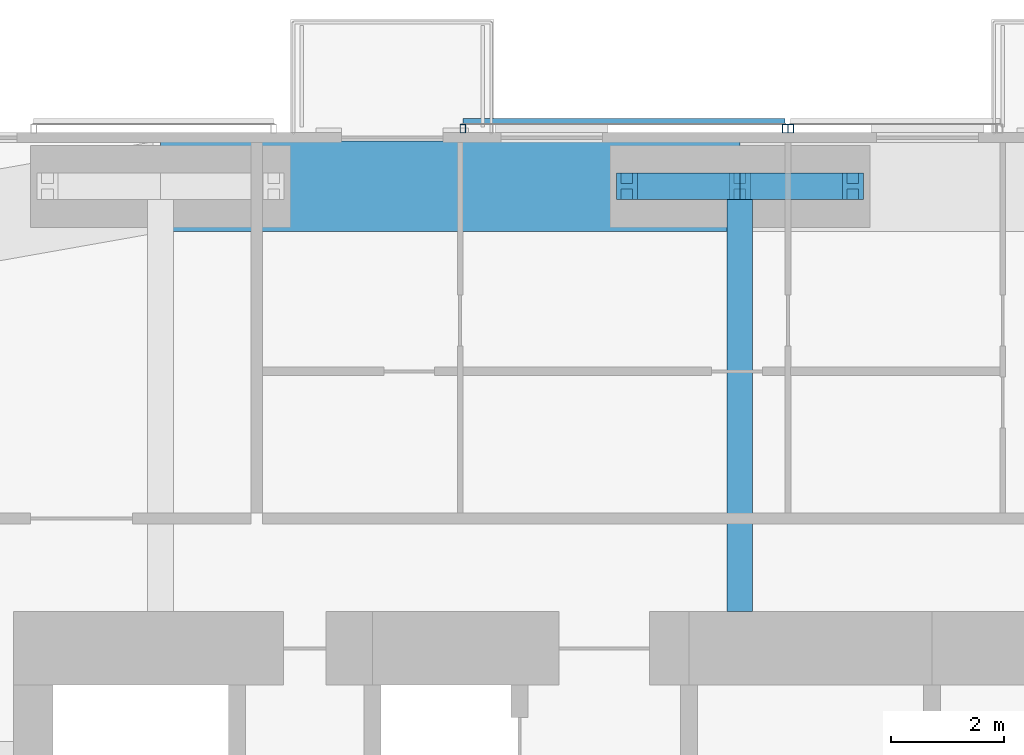
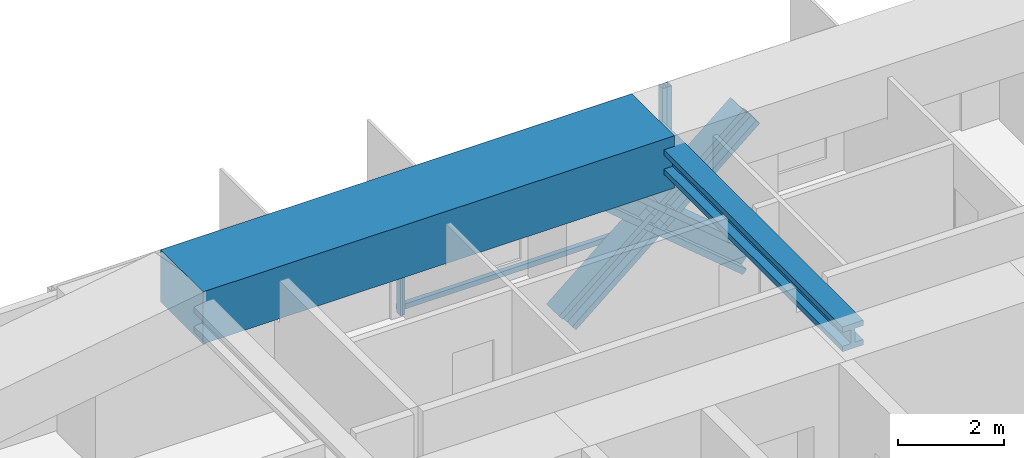
# One storey, part 11 of 22: 8 members, 2 beams, 2 elements without a shape of their own.
"""IFC4 building model written with IfcOpenShell, lengths in metres."""

from ifc_helpers import new_model, si_unit, direction, frame, origin, origin_2d, place, context, subcontext, project, spatial, rectangle, hollow_rectangle, i_section, extrude, material, material_profile, profile_set, type_object, element, aggregate, save


model = new_model("IFC4")

# Units and contexts
model_context = context("Model", 3, precision=1e-05, world=origin(), true_north=direction((0.0, 1.0)))
body_context = subcontext(model_context, "Body", "Model", "MODEL_VIEW")
ifc_project = project(units=[si_unit("LENGTHUNIT", "METRE"), si_unit("AREAUNIT", "SQUARE_METRE"), si_unit("VOLUMEUNIT", "CUBIC_METRE"), si_unit("PLANEANGLEUNIT", "RADIAN"), si_unit("MASSUNIT", "GRAM", prefix="KILO")], contexts=[model_context])

# Site, building, storey
site_placement = place(None, origin())
site = spatial("IfcSite", under=ifc_project, at=site_placement, CompositionType="ELEMENT")
building_placement = place(site_placement, origin())
building = spatial("IfcBuilding", under=site, at=building_placement, Name="Jalousie Tower", CompositionType="ELEMENT")
storey_placement = place(building_placement, frame((0.0, 0.0, 177.800048828125)))
storey = spatial("IfcBuildingStorey", under=building, at=storey_placement, Name="L48", CompositionType="ELEMENT", Elevation=177.800048828125)

# Beam
ifc_material_1 = material(Name="Steel ASTM A992 Grade 50", Category="steel")
ifc_material_profile_1 = material_profile(ifc_material_1, i_section(OverallWidth=0.45458984375, OverallDepth=0.569091796875, WebThickness=0.077880859375, FlangeThickness=0.124755859375, at=origin_2d()), Name="W14X730")
ifc_profile_set_1 = profile_set([ifc_material_profile_1], Name="Steel ASTM A992 Grade 50")
beam_type_1 = type_object("IfcBeamType", Name="LEAN COLLECTOR W14X730", PredefinedType="BEAM", material=ifc_profile_set_1)
beam_1_placement = place(storey_placement, frame((32.5, 35.050048828125, 2.825439453125), z_axis=(0.0, -1.0, 0.0), x_axis=(1.0, 0.0, 0.0)))
element("IfcBeam", 1, at=beam_1_placement, inside=storey, type_object=beam_type_1, Name="Lean collector under L49", PredefinedType="BEAM", context=body_context, shape_type="SweptSolid", body=[
    extrude(i_section(OverallWidth=0.45458984375, OverallDepth=0.569091796875, WebThickness=0.077880859375, FlangeThickness=0.124755859375, at=origin_2d()), origin(), (0.0, 0.0, 1.0), 7.525146484375),
])

# Members
ifc_material_2 = material(Name="Steel ASTM A992 Grade 50", Category="steel")
ifc_material_profile_2 = material_profile(ifc_material_2, i_section(OverallWidth=0.472412109375, OverallDepth=0.5791015625, WebThickness=0.094970703125, FlangeThickness=0.1298828125, at=origin_2d()), Name="W14X808")
ifc_profile_set_2 = profile_set([ifc_material_profile_2], Name="Steel ASTM A992 Grade 50")
member_type_1 = type_object("IfcMemberType", Name="PERIMETER BRACE W14X808", PredefinedType="BRACE", material=ifc_profile_set_2)
for number, where, z_axis, x_axis, name in (
    (2, (30.5, 35.050048828125, -0.60009765625), (0.766638753323, 0.0, 0.642078672674), (0.0, 1.0, 0.0), "Perimeter brace 10 L48 part 1"),
    (3, (32.5, 35.050048828125, 1.074951171875), (0.766638753323, 0.0, 0.642078672674), (0.0, 1.0, 0.0), "Perimeter brace 10 L48 part 2"),
    (4, (34.5, 35.050048828125, -0.60009765625), (-0.766638753323, 0.0, 0.642078672674), (0.0, -1.0, 0.0), "Perimeter brace 10 L48 part 3"),
    (5, (32.5, 35.050048828125, 1.074951171875), (-0.766638753323, 0.0, 0.642078672674), (0.0, -1.0, 0.0), "Perimeter brace 10 L48 part 4"),
):
    element("IfcMember", number, at=place(storey_placement, frame(where, z_axis=z_axis, x_axis=x_axis)), inside=storey, type_object=member_type_1, Name=name, PredefinedType="BRACE", context=body_context, shape_type="SweptSolid", body=[
        extrude(i_section(OverallWidth=0.472412109375, OverallDepth=0.5791015625, WebThickness=0.094970703125, FlangeThickness=0.1298828125, at=origin_2d()), origin(), (0.0, 0.0, 1.0), 2.60888671875),
    ])

# Beam
ifc_material_3 = material(Name="Concrete f'c 40 MPa", Category="concrete")
ifc_material_profile_3 = material_profile(ifc_material_3, rectangle(XDim=1.60009765625, YDim=1.199951171875, at=origin_2d()), Name="RC 1600x1200")
ifc_profile_set_3 = profile_set([ifc_material_profile_3], Name="Concrete f'c 40 MPa")
beam_type_2 = type_object("IfcBeamType", Name="RC BEAM 1600x1200", PredefinedType="BEAM", material=ifc_profile_set_3)
beam_2_placement = place(storey_placement, frame((32.5, 35.050048828125, 2.75), z_axis=(-1.0, 0.0, 0.0), x_axis=(0.0, -1.0, 0.0)))
element("IfcBeam", 6, at=beam_2_placement, inside=storey, type_object=beam_type_2, Name="Edge band beam 10-11 under L49", PredefinedType="BEAM", context=body_context, shape_type="SweptSolid", body=[
    extrude(rectangle(XDim=1.60009765625, YDim=1.199951171875, at=origin_2d()), origin(), (0.0, 0.0, 1.0), 10.25),
])

# Curtain wall, member
ifc_material_4 = material(Name="Perforated aluminium sheet", Category="aluminium")
curtain_wall_type = type_object("IfcCurtainWallType", Name="SOLAR SCREEN SS-1", PredefinedType="USERDEFINED", material=ifc_material_4)
curtain_wall_1_placement = place(storey_placement, origin())
curtain_wall_1 = element("IfcCurtainWall", 7, at=curtain_wall_1_placement, inside=storey, type_object=curtain_wall_type, Name="Solar screen L48", ObjectType="SOLAR SCREEN SS-1", PredefinedType="USERDEFINED")
ifc_material_5 = material(Name="Steel ASTM A500 Grade C", Category="steel")
ifc_material_profile_4 = material_profile(ifc_material_5, hollow_rectangle(XDim=0.1015625, YDim=0.15234375, WallThickness=0.00634765625, at=origin_2d()), Name="HSS6X4X1/4")
ifc_profile_set_4 = profile_set([ifc_material_profile_4], Name="Steel ASTM A500 Grade C")
member_type_2 = type_object("IfcMemberType", Name="SOLAR SCREEN SS-1 MULLION", PredefinedType="MULLION", material=ifc_profile_set_4)
member_1_placement = place(storey_placement, frame((33.39990234375, 36.0712890625, -0.1201171875), z_axis=(0.0, 0.0, 1.0), x_axis=(-1.0, 0.0, 0.0)))
member_1 = element("IfcMember", 8, at=member_1_placement, type_object=member_type_2, Name="SS1 post 2", PredefinedType="MULLION", context=body_context, shape_type="SweptSolid", body=[
    extrude(hollow_rectangle(XDim=0.1015625, YDim=0.15234375, WallThickness=0.00634765625, at=origin_2d()), origin(), (0.0, 0.0, 1.0), 3.22998046875),
])
aggregate(curtain_wall_1, [member_1])

# Curtain wall, members
curtain_wall_2_placement = place(storey_placement, origin())
curtain_wall_2 = element("IfcCurtainWall", 9, at=curtain_wall_2_placement, inside=storey, type_object=curtain_wall_type, Name="Solar screen L48", ObjectType="SOLAR SCREEN SS-1", PredefinedType="USERDEFINED")
member_2_placement = place(storey_placement, frame((33.300048828125, 36.0712890625, -0.1201171875), z_axis=(0.0, 0.0, 1.0), x_axis=(-1.0, 0.0, 0.0)))
member_2 = element("IfcMember", 10, at=member_2_placement, type_object=member_type_2, Name="SS1 post 1", PredefinedType="MULLION", context=body_context, shape_type="SweptSolid", body=[
    extrude(hollow_rectangle(XDim=0.1015625, YDim=0.15234375, WallThickness=0.00634765625, at=origin_2d()), origin(), (0.0, 0.0, 1.0), 3.22998046875),
])
member_3_placement = place(storey_placement, frame((27.60009765625, 36.0712890625, -0.1201171875), z_axis=(0.0, 0.0, 1.0), x_axis=(-1.0, 0.0, 0.0)))
member_3 = element("IfcMember", 11, at=member_3_placement, type_object=member_type_2, Name="SS1 post 2", PredefinedType="MULLION", context=body_context, shape_type="SweptSolid", body=[
    extrude(hollow_rectangle(XDim=0.1015625, YDim=0.15234375, WallThickness=0.00634765625, at=origin_2d()), origin(), (0.0, 0.0, 1.0), 3.22998046875),
])
ifc_material_6 = material(Name="Extruded aluminium screen rail", Category="aluminium")
ifc_material_profile_5 = material_profile(ifc_material_6, rectangle(XDim=0.1015625, YDim=0.1201171875, at=origin_2d()), Name="RAIL 102x120")
ifc_profile_set_5 = profile_set([ifc_material_profile_5], Name="Extruded aluminium screen rail")
member_type_3 = type_object("IfcMemberType", Name="SOLAR SCREEN SS-1 TRANSOM", PredefinedType="USERDEFINED", material=ifc_profile_set_5)
member_4_placement = place(storey_placement, frame((33.300048828125, 36.1982421875, -0.06005859375), z_axis=(-1.0, 0.0, 0.0), x_axis=(0.0, -1.0, 0.0)))
member_4 = element("IfcMember", 12, at=member_4_placement, type_object=member_type_3, Name="SS1 rail", ObjectType="TRANSOM", PredefinedType="USERDEFINED", context=body_context, shape_type="SweptSolid", body=[
    extrude(rectangle(XDim=0.1015625, YDim=0.1201171875, at=origin_2d()), origin(), (0.0, 0.0, 1.0), 5.699951171875),
])
aggregate(curtain_wall_2, [member_2, member_3, member_4])

save(model, "model.ifc")
